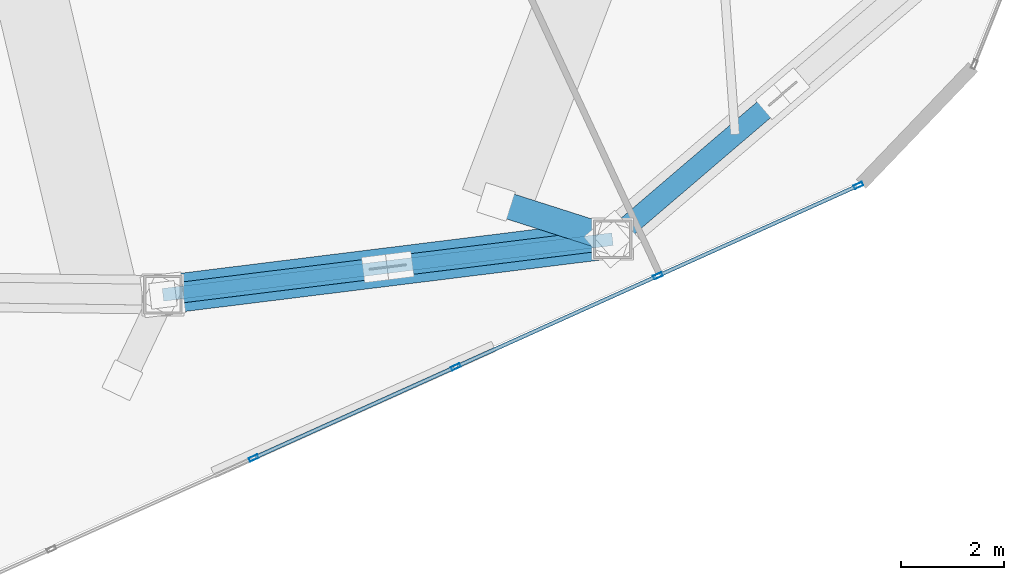
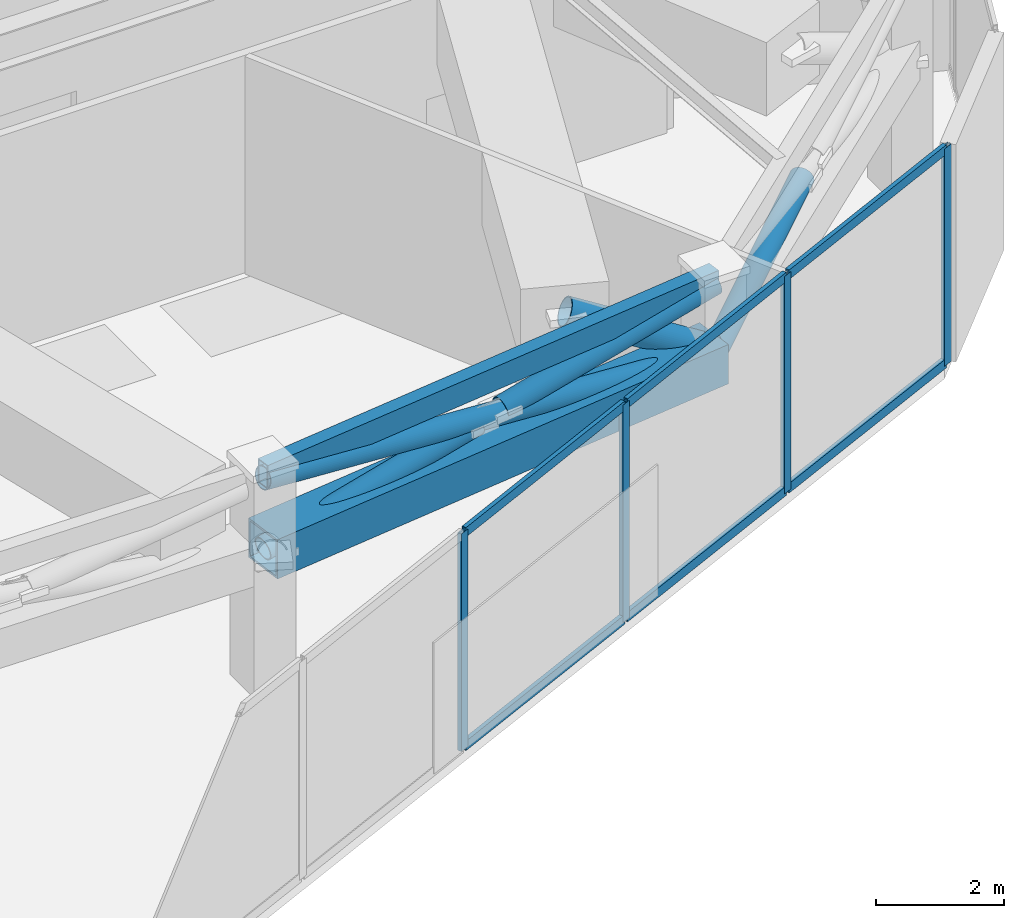
# One storey, part 5 of 21: 16 members, 1 beam, 1 element without a shape of its own.
"""IFC4 building model written with IfcOpenShell, lengths in metres."""

from ifc_helpers import new_model, si_unit, direction, frame, origin, origin_2d, place, context, subcontext, project, spatial, hollow_rectangle, hollow_circle, extrude, source, transform, mapped, material, layer, layer_set, material_profile, profile_set, type_object, type_shapes, element, aggregate, save


model = new_model("IFC4")

# Units and contexts
model_context = context("Model", 3, precision=1e-05, world=origin(), true_north=direction((0.0, 1.0)))
body_context = subcontext(model_context, "Body", "Model", "MODEL_VIEW")
ifc_project = project(units=[si_unit("LENGTHUNIT", "METRE"), si_unit("AREAUNIT", "SQUARE_METRE"), si_unit("VOLUMEUNIT", "CUBIC_METRE"), si_unit("PLANEANGLEUNIT", "RADIAN"), si_unit("MASSUNIT", "GRAM", prefix="KILO")], contexts=[model_context])

# Site, building, storey
site_placement = place(None, origin())
site = spatial("IfcSite", under=ifc_project, at=site_placement, CompositionType="ELEMENT")
building_placement = place(site_placement, origin())
building = spatial("IfcBuilding", under=site, at=building_placement, Name="Talar Marvaseh", CompositionType="ELEMENT")
storey_placement = place(building_placement, frame((0.0, 0.0, 162.39990234375)))
storey = spatial("IfcBuildingStorey", under=building, at=storey_placement, Name="L42", CompositionType="ELEMENT", Elevation=162.39990234375)

# Beam
ifc_material_1 = material(Name="Steel S355", Category="steel")
ifc_material_profile_1 = material_profile(ifc_material_1, hollow_rectangle(XDim=0.25, YDim=0.449951171875, WallThickness=0.01611328125, at=origin_2d()), Name="RHS450x250x16")
ifc_profile_set_1 = profile_set([ifc_material_profile_1], Name="Steel S355")
beam_type = type_object("IfcBeamType", Name="Zone 2 Perimeter Spandrel Beam RHS450x250x16", PredefinedType="SPANDREL", material=ifc_profile_set_1)
beam_placement = place(storey_placement, frame((31.570068359375, 14.26806640625, 3.925048828125), z_axis=(-0.992426007218, -0.122843885468, 0.0), x_axis=(0.122843885468, -0.992426007218, 0.0)))
element("IfcBeam", 1, at=beam_placement, inside=storey, type_object=beam_type, Name="L42 Zone 2 Perimeter Spandrel Beam RHS450x250x16", PredefinedType="SPANDREL", context=body_context, shape_type="SweptSolid", body=[
    extrude(hollow_rectangle(XDim=0.25, YDim=0.449951171875, WallThickness=0.01611328125, at=origin_2d()), origin(), (0.0, 0.0, 1.0), 8.83203125),
])

# Members
ifc_material_2 = material(Name="Steel S460", Category="steel")
ifc_material_profile_2 = material_profile(ifc_material_2, hollow_circle(Radius=0.25390625, WallThickness=0.02001953125, at=origin_2d()), Name="CHS508x20")
ifc_profile_set_2 = profile_set([ifc_material_profile_2], Name="Steel S460")
member_type_1 = type_object("IfcMemberType", Name="Crown Frame Diagonal Brace CHS508x20", PredefinedType="BRACE", material=ifc_profile_set_2)
shared_shape_1 = source(origin(), body_context, "Body", "SweptSolid", [
    extrude(hollow_circle(Radius=0.25390625, WallThickness=0.02001953125, at=origin_2d()), origin(), (0.0, 0.0, 1.0), 2.625732421875),
])
type_shapes(member_type_1, [shared_shape_1])
member_1_placement = place(storey_placement, frame((31.570068359375, 14.26806640625, 2.550048828125), z_axis=(-0.864900255855, 0.276429634558, 0.418968023316), x_axis=(-0.304437592034, -0.952532284259, 0.0)))
element("IfcMember", 2, at=member_1_placement, inside=storey, type_object=member_type_1, Name="L42 Setback Transfer Raked Strut 6", PredefinedType="BRACE", context=body_context, shape_type="MappedRepresentation", body=[
    mapped(shared_shape_1, transform((0.0, 0.0, 0.0), x_axis=(1.0, 0.0, 0.0), y_axis=(0.0, 1.0, 0.0), z_axis=(0.0, 0.0, 1.0), scale=1.0)),
])
ifc_material_profile_3 = material_profile(ifc_material_2, hollow_circle(Radius=0.203125, WallThickness=0.01611328125, at=origin_2d()), Name="CHS406x16")
ifc_profile_set_3 = profile_set([ifc_material_profile_3], Name="Steel S460")
member_type_2 = type_object("IfcMemberType", Name="Belt Truss Diagonal Brace CHS406x16", PredefinedType="BRACE", material=ifc_profile_set_3)
shared_shape_2 = source(origin(), body_context, "Body", "SweptSolid", [
    extrude(hollow_circle(Radius=0.203125, WallThickness=0.01611328125, at=origin_2d()), origin(), (0.0, 0.0, 1.0), 4.177001953125),
])
member_2_placement = place(storey_placement, frame((31.570068359375, 14.26806640625, 2.5), z_axis=(0.751172787808, 0.642167399599, 0.15284133521), x_axis=(-0.649802092963, 0.760103440317, 0.0)))
element("IfcMember", 3, at=member_2_placement, inside=storey, type_object=member_type_2, Name="L42 Belt Truss Split Diagonal Lower 4", PredefinedType="BRACE", context=body_context, shape_type="MappedRepresentation", body=[
    mapped(shared_shape_2, transform((0.0, 0.0, 0.0), x_axis=(1.0, 0.0, 0.0), y_axis=(0.0, 1.0, 0.0), z_axis=(0.0, 0.0, 1.0), scale=1.0)),
])
ifc_material_profile_4 = material_profile(ifc_material_2, hollow_rectangle(XDim=0.75, YDim=0.75, WallThickness=0.0400390625, at=origin_2d()), Name="BOX750x750x40")
ifc_profile_set_4 = profile_set([ifc_material_profile_4], Name="Steel S460")
member_type_3 = type_object("IfcMemberType", Name="Belt Truss Chord Member BOX750x750x40", PredefinedType="CHORD", material=ifc_profile_set_4)
shared_shape_3 = source(origin(), body_context, "Body", "SweptSolid", [
    extrude(hollow_rectangle(XDim=0.75, YDim=0.75, WallThickness=0.0400390625, at=origin_2d()), origin(), (0.0, 0.0, 1.0), 8.83203125),
])
type_shapes(member_type_3, [shared_shape_3])
member_3_placement = place(storey_placement, frame((31.570068359375, 14.26806640625, 2.5), z_axis=(-0.992426007218, -0.122843885468, 0.0), x_axis=(0.122843885468, -0.992426007218, 0.0)))
element("IfcMember", 4, at=member_3_placement, inside=storey, type_object=member_type_3, Name="L42 Belt Truss Bottom Chord 5", PredefinedType="CHORD", context=body_context, shape_type="MappedRepresentation", body=[
    mapped(shared_shape_3, transform((0.0, 0.0, 0.0), x_axis=(1.0, 0.0, 0.0), y_axis=(0.0, 1.0, 0.0), z_axis=(0.0, 0.0, 1.0), scale=1.0)),
])
shared_shape_4 = source(origin(), body_context, "Body", "SweptSolid", [
    extrude(hollow_circle(Radius=0.203125, WallThickness=0.01611328125, at=origin_2d()), origin(), (0.0, 0.0, 1.0), 8.9345703125),
])
member_4_placement = place(storey_placement, frame((31.570068359375, 14.26806640625, 2.5), z_axis=(-0.981030163442, -0.121433291915, 0.151108484314), x_axis=(0.122843885468, -0.992426007218, 0.0)))
element("IfcMember", 5, at=member_4_placement, inside=storey, type_object=member_type_2, Name="L42 Belt Truss Continuous Diagonal 5", PredefinedType="BRACE", context=body_context, shape_type="MappedRepresentation", body=[
    mapped(shared_shape_4, transform((0.0, 0.0, 0.0), x_axis=(1.0, 0.0, 0.0), y_axis=(0.0, 1.0, 0.0), z_axis=(0.0, 0.0, 1.0), scale=1.0)),
])
shared_shape_5 = source(origin(), body_context, "Body", "SweptSolid", [
    extrude(hollow_circle(Radius=0.203125, WallThickness=0.01611328125, at=origin_2d()), origin(), (0.0, 0.0, 1.0), 4.227294921875),
])
type_shapes(member_type_2, [shared_shape_2, shared_shape_4, shared_shape_5])
for number, where, z_axis, x_axis, name in (
    (6, (22.804931640625, 13.18310546875, 2.5), (0.981030649444, 0.12139438542, 0.151136587366), (-0.12280506077, 0.992430812223, 0.0), "L42 Belt Truss Split Diagonal Lower 5"),
    (7, (27.4228515625, 13.754638671875, 3.21142578125), (0.98103233126, 0.121452345478, 0.151079094518), (-0.122862602028, 0.992423690277, 0.0), "L42 Belt Truss Split Diagonal Upper 5"),
):
    element("IfcMember", number, at=place(storey_placement, frame(where, z_axis=z_axis, x_axis=x_axis)), inside=storey, type_object=member_type_2, Name=name, PredefinedType="BRACE", context=body_context, shape_type="MappedRepresentation", body=[
        mapped(shared_shape_5, transform((0.0, 0.0, 0.0), x_axis=(1.0, 0.0, 0.0), y_axis=(0.0, 1.0, 0.0), z_axis=(0.0, 0.0, 1.0), scale=1.0)),
    ])

# Curtain wall, members
ifc_material_3 = material(Name="Architectural Aluminium", Category="aluminium")
ifc_layer = layer(ifc_material_3, 0.199951171875)
ifc_layer_set = layer_set([ifc_layer], Name="Architectural Aluminium")
curtain_wall_type = type_object("IfcCurtainWallType", Name="Unitised Acoustic Library Curtain Wall Z2", PredefinedType="NOTDEFINED", material=ifc_layer_set)
curtain_wall_placement = place(storey_placement, origin())
curtain_wall = element("IfcCurtainWall", 8, at=curtain_wall_placement, inside=storey, type_object=curtain_wall_type, Name="L42 Unitised Acoustic Library Curtain Wall Z2", PredefinedType="NOTDEFINED")
ifc_material_profile_5 = material_profile(ifc_material_3, hollow_rectangle(XDim=0.074951171875, YDim=0.179931640625, WallThickness=0.0048828125, at=origin_2d()), Name="RHS180x75x5")
ifc_profile_set_5 = profile_set([ifc_material_profile_5], Name="Architectural Aluminium")
member_type_4 = type_object("IfcMemberType", Name="Unitised Curtain Wall Transom RHS180x75x5", PredefinedType="USERDEFINED", material=ifc_profile_set_5)
shared_shape_6 = source(origin(), body_context, "Body", "SweptSolid", [
    extrude(hollow_rectangle(XDim=0.074951171875, YDim=0.179931640625, WallThickness=0.0048828125, at=origin_2d()), origin(), (0.0, 0.0, 1.0), 4.211181640625),
])
member_5_placement = place(storey_placement, frame((36.329833984375, 15.30029296875, 0.03759765625), z_axis=(-0.911697911235, -0.410861191462, 0.0), x_axis=(0.410861191462, -0.911697911235, 0.0)))
member_5 = element("IfcMember", 9, at=member_5_placement, type_object=member_type_4, Name="CW-Z2 transom 1.1", ObjectType="TRANSOM", PredefinedType="USERDEFINED", context=body_context, shape_type="MappedRepresentation", body=[
    mapped(shared_shape_6, transform((0.0, 0.0, 0.0), x_axis=(1.0, 0.0, 0.0), y_axis=(0.0, 1.0, 0.0), z_axis=(0.0, 0.0, 1.0), scale=1.0)),
])
member_6_placement = place(storey_placement, frame((36.329833984375, 15.30029296875, 4.112548828125), z_axis=(-0.911697911235, -0.410861191462, 0.0), x_axis=(0.410861191462, -0.911697911235, 0.0)))
member_6 = element("IfcMember", 10, at=member_6_placement, type_object=member_type_4, Name="CW-Z2 transom 1.2", ObjectType="TRANSOM", PredefinedType="USERDEFINED", context=body_context, shape_type="MappedRepresentation", body=[
    mapped(shared_shape_6, transform((0.0, 0.0, 0.0), x_axis=(1.0, 0.0, 0.0), y_axis=(0.0, 1.0, 0.0), z_axis=(0.0, 0.0, 1.0), scale=1.0)),
])
shared_shape_7 = source(origin(), body_context, "Body", "SweptSolid", [
    extrude(hollow_rectangle(XDim=0.074951171875, YDim=0.179931640625, WallThickness=0.0048828125, at=origin_2d()), origin(), (0.0, 0.0, 1.0), 4.24853515625),
])
member_7_placement = place(storey_placement, frame((32.422119140625, 13.539306640625, 0.03759765625), z_axis=(-0.911690184287, -0.410878337072, 0.0), x_axis=(0.410878337072, -0.911690184287, 0.0)))
member_7 = element("IfcMember", 11, at=member_7_placement, type_object=member_type_4, Name="CW-Z2 transom 2.1", ObjectType="TRANSOM", PredefinedType="USERDEFINED", context=body_context, shape_type="MappedRepresentation", body=[
    mapped(shared_shape_7, transform((0.0, 0.0, 0.0), x_axis=(1.0, 0.0, 0.0), y_axis=(0.0, 1.0, 0.0), z_axis=(0.0, 0.0, 1.0), scale=1.0)),
])
member_8_placement = place(storey_placement, frame((32.422119140625, 13.539306640625, 4.112548828125), z_axis=(-0.911690184287, -0.410878337072, 0.0), x_axis=(0.410878337072, -0.911690184287, 0.0)))
member_8 = element("IfcMember", 12, at=member_8_placement, type_object=member_type_4, Name="CW-Z2 transom 2.2", ObjectType="TRANSOM", PredefinedType="USERDEFINED", context=body_context, shape_type="MappedRepresentation", body=[
    mapped(shared_shape_7, transform((0.0, 0.0, 0.0), x_axis=(1.0, 0.0, 0.0), y_axis=(0.0, 1.0, 0.0), z_axis=(0.0, 0.0, 1.0), scale=1.0)),
])
shared_shape_8 = source(origin(), body_context, "Body", "SweptSolid", [
    extrude(hollow_rectangle(XDim=0.074951171875, YDim=0.179931640625, WallThickness=0.0048828125, at=origin_2d()), origin(), (0.0, 0.0, 1.0), 4.248779296875),
])
type_shapes(member_type_4, [shared_shape_6, shared_shape_7, shared_shape_8])
member_9_placement = place(storey_placement, frame((28.48046875, 11.762939453125, 0.03759765625), z_axis=(-0.911699884908, -0.410856811868, 0.0), x_axis=(0.410856811868, -0.911699884908, 0.0)))
member_9 = element("IfcMember", 13, at=member_9_placement, type_object=member_type_4, Name="CW-Z2 transom 3.1", ObjectType="TRANSOM", PredefinedType="USERDEFINED", context=body_context, shape_type="MappedRepresentation", body=[
    mapped(shared_shape_8, transform((0.0, 0.0, 0.0), x_axis=(1.0, 0.0, 0.0), y_axis=(0.0, 1.0, 0.0), z_axis=(0.0, 0.0, 1.0), scale=1.0)),
])
member_10_placement = place(storey_placement, frame((28.48046875, 11.762939453125, 4.112548828125), z_axis=(-0.911699884908, -0.410856811868, 0.0), x_axis=(0.410856811868, -0.911699884908, 0.0)))
member_10 = element("IfcMember", 14, at=member_10_placement, type_object=member_type_4, Name="CW-Z2 transom 3.2", ObjectType="TRANSOM", PredefinedType="USERDEFINED", context=body_context, shape_type="MappedRepresentation", body=[
    mapped(shared_shape_8, transform((0.0, 0.0, 0.0), x_axis=(1.0, 0.0, 0.0), y_axis=(0.0, 1.0, 0.0), z_axis=(0.0, 0.0, 1.0), scale=1.0)),
])
ifc_material_profile_6 = material_profile(ifc_material_3, hollow_rectangle(XDim=0.074951171875, YDim=0.179931640625, WallThickness=0.0048828125, at=origin_2d()), Name="RHS180x75x5")
ifc_profile_set_6 = profile_set([ifc_material_profile_6], Name="Architectural Aluminium")
member_type_5 = type_object("IfcMemberType", Name="Unitised Curtain Wall Standard Mullion RHS180x75x5", PredefinedType="MULLION", material=ifc_profile_set_6)
shared_shape_9 = source(origin(), body_context, "Body", "SweptSolid", [
    extrude(hollow_rectangle(XDim=0.074951171875, YDim=0.179931640625, WallThickness=0.0048828125, at=origin_2d()), origin(), (0.0, 0.0, 1.0), 4.150146484375),
])
type_shapes(member_type_5, [shared_shape_9])
member_11_placement = place(storey_placement, frame((36.364013671875, 15.315673828125, 0.0), z_axis=(0.0, 0.0, 1.0), x_axis=(0.410862398783, -0.911697367149, 0.0)))
member_11 = element("IfcMember", 15, at=member_11_placement, type_object=member_type_5, Name="CW-Z2 mullion 1", PredefinedType="MULLION", context=body_context, shape_type="MappedRepresentation", body=[
    mapped(shared_shape_9, transform((0.0, 0.0, 0.0), x_axis=(1.0, 0.0, 0.0), y_axis=(0.0, 1.0, 0.0), z_axis=(0.0, 0.0, 1.0), scale=1.0)),
])
member_12_placement = place(storey_placement, frame((32.456298828125, 13.5546875, 0.0), z_axis=(0.0, 0.0, 1.0), x_axis=(0.410862398783, -0.911697367149, 0.0)))
member_12 = element("IfcMember", 16, at=member_12_placement, type_object=member_type_5, Name="CW-Z2 mullion 2", PredefinedType="MULLION", context=body_context, shape_type="MappedRepresentation", body=[
    mapped(shared_shape_9, transform((0.0, 0.0, 0.0), x_axis=(1.0, 0.0, 0.0), y_axis=(0.0, 1.0, 0.0), z_axis=(0.0, 0.0, 1.0), scale=1.0)),
])
member_13_placement = place(storey_placement, frame((28.5146484375, 11.7783203125, 0.0), z_axis=(0.0, 0.0, 1.0), x_axis=(0.410862398783, -0.911697367149, 0.0)))
member_13 = element("IfcMember", 17, at=member_13_placement, type_object=member_type_5, Name="CW-Z2 mullion 3", PredefinedType="MULLION", context=body_context, shape_type="MappedRepresentation", body=[
    mapped(shared_shape_9, transform((0.0, 0.0, 0.0), x_axis=(1.0, 0.0, 0.0), y_axis=(0.0, 1.0, 0.0), z_axis=(0.0, 0.0, 1.0), scale=1.0)),
])
member_14_placement = place(storey_placement, frame((24.57275390625, 10.001953125, 0.0), z_axis=(0.0, 0.0, 1.0), x_axis=(0.410862398783, -0.911697367149, 0.0)))
member_14 = element("IfcMember", 18, at=member_14_placement, type_object=member_type_5, Name="CW-Z2 mullion 4", PredefinedType="MULLION", context=body_context, shape_type="MappedRepresentation", body=[
    mapped(shared_shape_9, transform((0.0, 0.0, 0.0), x_axis=(1.0, 0.0, 0.0), y_axis=(0.0, 1.0, 0.0), z_axis=(0.0, 0.0, 1.0), scale=1.0)),
])
aggregate(curtain_wall, [member_11, member_12, member_13, member_14, member_5, member_6, member_7, member_8, member_9, member_10])

save(model, "model.ifc")
